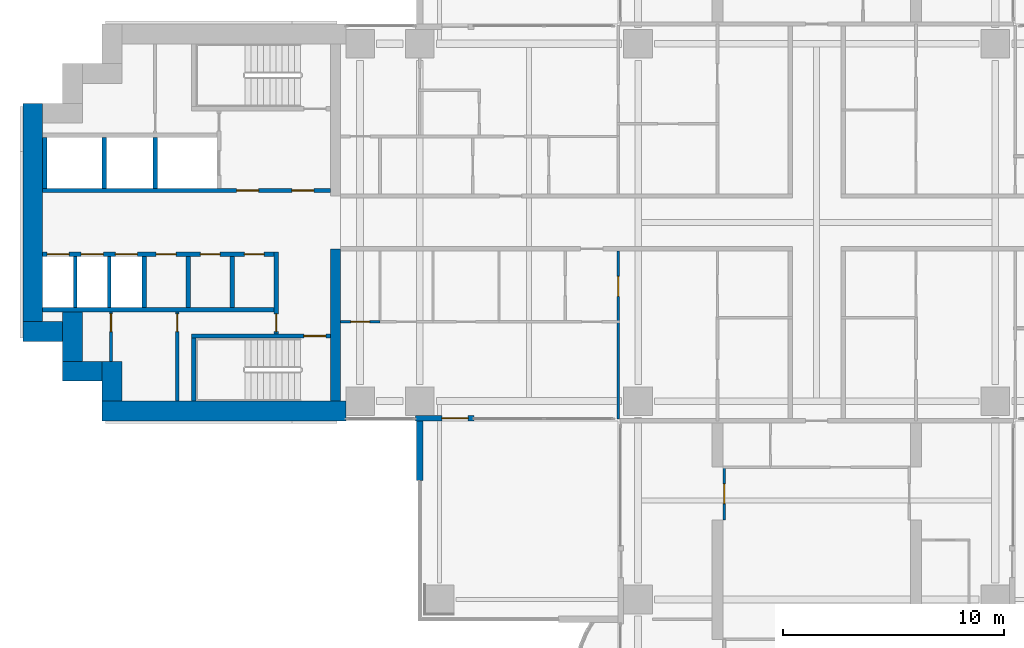
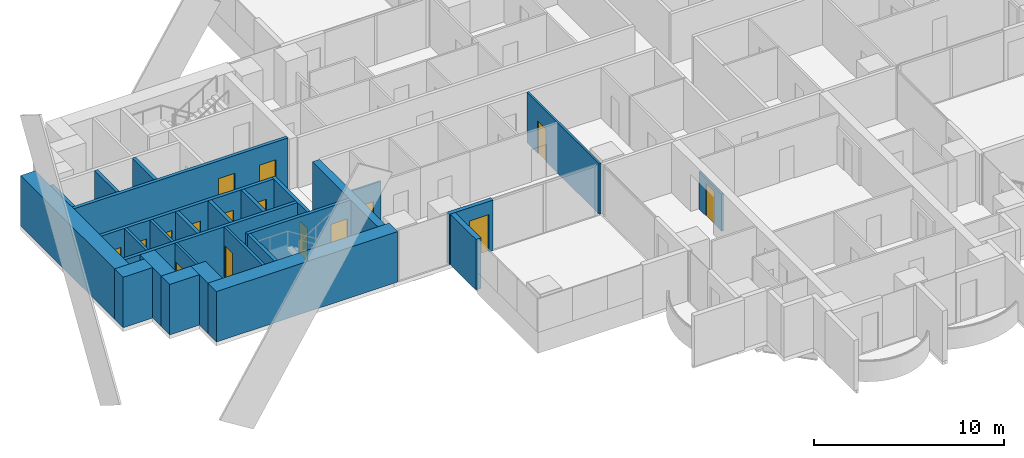
# One storey, part 11 of 23: 28 walls, 16 doors, 16 openings.
"""IFC4 building model written with IfcOpenShell, lengths in metres."""

from ifc_helpers import new_model, si_unit, direction, frame, frame_2d, origin, place, context, subcontext, project, spatial, rectangle, extrude, material, layer, layer_set, type_object, element, fill, save


model = new_model("IFC4")

# Units and contexts
model_context = context("Model", 3, precision=1e-05, world=origin(), true_north=direction((0.0, 1.0)))
body_context = subcontext(model_context, "Body", "Model", "MODEL_VIEW")
ifc_project = project(units=[si_unit("LENGTHUNIT", "METRE"), si_unit("AREAUNIT", "SQUARE_METRE"), si_unit("VOLUMEUNIT", "CUBIC_METRE"), si_unit("PLANEANGLEUNIT", "RADIAN"), si_unit("MASSUNIT", "GRAM", prefix="KILO")], contexts=[model_context])

# Site, building, storey
site_placement = place(None, origin())
site = spatial("IfcSite", under=ifc_project, at=site_placement, CompositionType="ELEMENT")
building_placement = place(site_placement, origin())
building = spatial("IfcBuilding", under=site, at=building_placement, Name="Perihelion Cross Residences", CompositionType="ELEMENT")
storey_placement = place(building_placement, frame((0.0, 0.0, 36.5)))
storey = spatial("IfcBuildingStorey", under=building, at=storey_placement, Name="L05", CompositionType="ELEMENT", Elevation=36.5)

# Wall, opening, door
ifc_material_1 = material(Name="Concrete C30/37, bronze-clad", Category="concrete")
ifc_layer_1 = layer(ifc_material_1, 0.25)
ifc_layer_set_1 = layer_set([ifc_layer_1], Name="Bronze-clad pier wall 250")
wall_type_1 = type_object("IfcWallType", Name="Bronze-clad pier wall 250", PredefinedType="SOLIDWALL", material=ifc_layer_set_1)
wall_1_placement = place(storey_placement, frame((-18.199951171875, -8.875, 0.0), z_axis=(0.0, 0.0, 1.0), x_axis=(1.0, 0.0, 0.0)))
wall_1 = element("IfcWall", 1, at=wall_1_placement, inside=storey, type_object=wall_type_1, Name="Wall FW1 L05 west side south bay 2 pier", PredefinedType="SOLIDWALL", context=body_context, shape_type="SweptSolid", body=[
    extrude(rectangle(XDim=2.64990234375, YDim=0.25, at=frame_2d((1.324951171875, 0.0))), origin(), (0.0, 0.0, 1.0), 3.25),
])
opening_1_placement = place(wall_1_placement, frame((1.199951171875, 0.0, 0.0)))
opening_1 = element("IfcOpeningElement", 2, at=opening_1_placement, cuts=wall_1, Name="Opening L05.E09", PredefinedType="OPENING", context=body_context, shape_type="SweptSolid", body=[
    extrude(rectangle(XDim=1.199951171875, YDim=2.39990234375, at=frame_2d((0.60009765625, 1.199951171875))), frame((0.0, 0.135009765625, 0.0), z_axis=(0.0, -1.0, 0.0), x_axis=(1.0, 0.0, 0.0)), (0.0, 0.0, 1.0), 0.27001953125),
])
ifc_material_2 = material(Name="Bronze anodised aluminium, glazed", Category="aluminium")
door_type_1 = type_object("IfcDoorType", Name="Balcony door 1200 x 2400", OperationType="NOTDEFINED", PredefinedType="DOOR", material=ifc_material_2)
door_1_placement = place(opening_1_placement, origin())
door_1 = element("IfcDoor", 3, at=door_1_placement, inside=storey, type_object=door_type_1, Name="Door L05.E09 west side south bay 2", OperationType="SINGLE_SWING_RIGHT", OverallHeight=2.39990234375, OverallWidth=1.199951171875, PredefinedType="DOOR", context=body_context, shape_type="SweptSolid", body=[
    extrude(rectangle(XDim=1.199951171875, YDim=2.39990234375, at=frame_2d((0.60009765625, 1.199951171875))), frame((0.0, 0.02490234375, 0.0), z_axis=(0.0, -1.0, 0.0), x_axis=(1.0, 0.0, 0.0)), (0.0, 0.0, 1.0), 0.050048828125),
])
fill(opening_1, door_1)

# Walls
ifc_material_3 = material(Name="Concrete C60/75", Category="concrete")
ifc_layer_2 = layer(ifc_material_3, 0.449951171875)
ifc_layer_set_2 = layer_set([ifc_layer_2], Name="Core wall, inner 450")
wall_type_2 = type_object("IfcWallType", Name="Core wall, inner 450", PredefinedType="SHEAR", material=ifc_layer_set_2)
wall_2_placement = place(storey_placement, frame((-21.824951171875, -8.10009765625, 0.0), z_axis=(0.0, 0.0, 1.0), x_axis=(0.0, 1.0, 0.0)))
element("IfcWall", 4, at=wall_2_placement, inside=storey, type_object=wall_type_2, Name="West core core wall, inner", PredefinedType="SHEAR", context=body_context, shape_type="SweptSolid", body=[
    extrude(rectangle(XDim=6.900146484375, YDim=0.449951171875, at=frame_2d((3.4501953125, 0.0))), origin(), (0.0, 0.0, 1.0), 3.25),
])
ifc_material_4 = material(Name="Concrete C60/75", Category="concrete")
ifc_layer_3 = layer(ifc_material_4, 0.89990234375)
ifc_layer_set_3 = layer_set([ifc_layer_3], Name="Core wall, outer 900")
wall_type_3 = type_object("IfcWallType", Name="Core wall, outer 900", PredefinedType="SHEAR", material=ifc_layer_set_3)
wall_3_placement = place(storey_placement, frame((-32.39990234375, -8.550048828125, 0.0), z_axis=(0.0, 0.0, 1.0), x_axis=(1.0, 0.0, 0.0)))
element("IfcWall", 5, at=wall_3_placement, inside=storey, type_object=wall_type_3, Name="West core core wall, outer", PredefinedType="SHEAR", context=body_context, shape_type="SweptSolid", body=[
    extrude(rectangle(XDim=11.0498046875, YDim=0.89990234375, at=frame_2d((5.52490234375, 0.0))), origin(), (0.0, 0.0, 1.0), 3.25),
])
for number, where, z_axis, x_axis, name in (
    (6, (-31.949951171875, -8.10009765625, 0.0), (0.0, 0.0, 1.0), (0.0, 1.0, 0.0), "West core core wall, outer"),
    (7, (-34.199951171875, -6.75, 0.0), (0.0, 0.0, 1.0), (1.0, 0.0, 0.0), "West core core wall, outer"),
):
    element("IfcWall", number, at=place(storey_placement, frame(where, z_axis=z_axis, x_axis=x_axis)), inside=storey, type_object=wall_type_3, Name=name, PredefinedType="SHEAR", context=body_context, shape_type="SweptSolid", body=[
        extrude(rectangle(XDim=1.800048828125, YDim=0.89990234375, at=frame_2d((0.89990234375, 0.0))), origin(), (0.0, 0.0, 1.0), 3.25),
    ])
wall_4_placement = place(storey_placement, frame((-33.75, -6.300048828125, 0.0), z_axis=(0.0, 0.0, 1.0), x_axis=(0.0, 1.0, 0.0)))
element("IfcWall", 8, at=wall_4_placement, inside=storey, type_object=wall_type_3, Name="West core core wall, outer", PredefinedType="SHEAR", context=body_context, shape_type="SweptSolid", body=[
    extrude(rectangle(XDim=2.25, YDim=0.89990234375, at=frame_2d((1.125, 0.0))), origin(), (0.0, 0.0, 1.0), 3.25),
])
wall_5_placement = place(storey_placement, frame((-36.0, -4.949951171875, 0.0), z_axis=(0.0, 0.0, 1.0), x_axis=(1.0, 0.0, 0.0)))
element("IfcWall", 9, at=wall_5_placement, inside=storey, type_object=wall_type_3, Name="West core core wall, outer", PredefinedType="SHEAR", context=body_context, shape_type="SweptSolid", body=[
    extrude(rectangle(XDim=1.800048828125, YDim=0.89990234375, at=frame_2d((0.89990234375, 0.0))), origin(), (0.0, 0.0, 1.0), 3.25),
])
wall_6_placement = place(storey_placement, frame((-35.550048828125, -4.5, 0.0), z_axis=(0.0, 0.0, 1.0), x_axis=(0.0, 1.0, 0.0)))
element("IfcWall", 10, at=wall_6_placement, inside=storey, type_object=wall_type_3, Name="West core core wall, outer", PredefinedType="SHEAR", context=body_context, shape_type="SweptSolid", body=[
    extrude(rectangle(XDim=9.89990234375, YDim=0.89990234375, at=frame_2d((4.949951171875, 0.0))), origin(), (0.0, 0.0, 1.0), 3.25),
])

# Wall, opening, door
ifc_material_5 = material(Name="Plasterboard partition")
ifc_layer_4 = layer(ifc_material_5, 0.1201171875)
ifc_layer_set_4 = layer_set([ifc_layer_4], Name="Infill panel 120")
wall_type_4 = type_object("IfcWallType", Name="Infill panel 120", PredefinedType="PARTITIONING", material=ifc_layer_set_4)
wall_7_placement = place(storey_placement, frame((-4.18994140625, -11.10009765625, 0.0), z_axis=(0.0, 0.0, 1.0), x_axis=(0.0, -1.0, 0.0)))
wall_7 = element("IfcWall", 11, at=wall_7_placement, inside=storey, type_object=wall_type_4, Name="Partition L05 WI07", PredefinedType="PARTITIONING", context=body_context, shape_type="SweptSolid", body=[
    extrude(rectangle(XDim=2.39990234375, YDim=0.1201171875, at=frame_2d((1.199951171875, 0.0))), origin(), (0.0, 0.0, 1.0), 2.39990234375),
])
opening_2_placement = place(wall_7_placement, frame((0.75, 0.0, 0.0)))
opening_2 = element("IfcOpeningElement", 12, at=opening_2_placement, cuts=wall_7, Name="Opening L05.A60", PredefinedType="OPENING", context=body_context, shape_type="SweptSolid", body=[
    extrude(rectangle(XDim=0.89990234375, YDim=2.10009765625, at=frame_2d((0.449951171875, 1.050048828125))), frame((0.0, 0.070068359375, 0.0), z_axis=(0.0, -1.0, 0.0), x_axis=(1.0, 0.0, 0.0)), (0.0, 0.0, 1.0), 0.14013671875),
])
ifc_material_6 = material(Name="Timber door leaf", Category="wood")
door_type_2 = type_object("IfcDoorType", Name="Interior room door 900 x 2100", OperationType="SINGLE_SWING_LEFT", PredefinedType="DOOR", material=ifc_material_6)
door_2_placement = place(opening_2_placement, origin())
door_2 = element("IfcDoor", 13, at=door_2_placement, inside=storey, type_object=door_type_2, Name="Door L05.A60", OperationType="SINGLE_SWING_RIGHT", OverallHeight=2.10009765625, OverallWidth=0.89990234375, PredefinedType="DOOR", context=body_context, shape_type="SweptSolid", body=[
    extrude(rectangle(XDim=0.89990234375, YDim=2.10009765625, at=frame_2d((0.449951171875, 1.050048828125))), frame((0.0, 0.02490234375, 0.0), z_axis=(0.0, -1.0, 0.0), x_axis=(1.0, 0.0, 0.0)), (0.0, 0.0, 1.0), 0.050048828125),
])
fill(opening_2, door_2)

ifc_material_7 = material(Name="Concrete C50/60", Category="concrete")
ifc_layer_5 = layer(ifc_material_7, 0.199951171875)
ifc_layer_set_5 = layer_set([ifc_layer_5], Name="Lobby wall 200")
wall_type_5 = type_object("IfcWallType", Name="Lobby wall 200", PredefinedType="SOLIDWALL", material=ifc_layer_set_5)
wall_8_placement = place(storey_placement, frame((-24.5, -5.050048828125, 0.0), z_axis=(0.0, 0.0, 1.0), x_axis=(0.0, 1.0, 0.0)))
wall_8 = element("IfcWall", 14, at=wall_8_placement, inside=storey, type_object=wall_type_5, Name="West core lobby wall", PredefinedType="SOLIDWALL", context=body_context, shape_type="SweptSolid", body=[
    extrude(rectangle(XDim=3.699951171875, YDim=0.199951171875, at=frame_2d((1.85009765625, 0.0))), origin(), (0.0, 0.0, 1.0), 3.25),
])
opening_3_placement = place(wall_8_placement, frame((0.10009765625, 0.0, 0.0)))
opening_3 = element("IfcOpeningElement", 15, at=opening_3_placement, cuts=wall_8, Name="Opening L05.C24", PredefinedType="OPENING", context=body_context, shape_type="SweptSolid", body=[
    extrude(rectangle(XDim=0.800048828125, YDim=2.10009765625, at=frame_2d((0.39990234375, 1.050048828125))), frame((0.0, 0.10986328125, 0.0), z_axis=(0.0, -1.0, 0.0), x_axis=(1.0, 0.0, 0.0)), (0.0, 0.0, 1.0), 0.219970703125),
])
ifc_material_8 = material(Name="Steel, powder coated", Category="steel")
door_type_3 = type_object("IfcDoorType", Name="Riser door 800", OperationType="SINGLE_SWING_LEFT", PredefinedType="DOOR", material=ifc_material_8)
door_3_placement = place(opening_3_placement, origin())
door_3 = element("IfcDoor", 16, at=door_3_placement, inside=storey, type_object=door_type_3, Name="West core riser door", OperationType="SINGLE_SWING_LEFT", OverallHeight=2.10009765625, OverallWidth=0.800048828125, PredefinedType="DOOR", context=body_context, shape_type="SweptSolid", body=[
    extrude(rectangle(XDim=0.800048828125, YDim=2.10009765625, at=frame_2d((0.39990234375, 1.050048828125))), frame((0.0, 0.02490234375, 0.0), z_axis=(0.0, -1.0, 0.0), x_axis=(1.0, 0.0, 0.0)), (0.0, 0.0, 1.0), 0.050048828125),
])
fill(opening_3, door_3)

ifc_material_9 = material(Name="Plasterboard partition")
ifc_layer_6 = layer(ifc_material_9, 0.1201171875)
ifc_layer_set_6 = layer_set([ifc_layer_6], Name="Partition wall 120")
wall_type_6 = type_object("IfcWallType", Name="Partition wall 120", PredefinedType="PARTITIONING", material=ifc_layer_set_6)
wall_9_placement = place(storey_placement, frame((-9.0, -1.300048828125, 0.0), z_axis=(0.0, 0.0, 1.0), x_axis=(0.0, -1.0, 0.0)))
wall_9 = element("IfcWall", 17, at=wall_9_placement, inside=storey, type_object=wall_type_6, Name="Partition L05 W047", PredefinedType="PARTITIONING", context=body_context, shape_type="SweptSolid", body=[
    extrude(rectangle(XDim=7.619873046875, YDim=0.1201171875, at=frame_2d((3.81005859375, 0.0))), origin(), (0.0, 0.0, 1.0), 3.25),
])
opening_4_placement = place(wall_9_placement, frame((1.14990234375, 0.0, 0.0)))
opening_4 = element("IfcOpeningElement", 18, at=opening_4_placement, cuts=wall_9, Name="Opening L05.A28", PredefinedType="OPENING", context=body_context, shape_type="SweptSolid", body=[
    extrude(rectangle(XDim=0.89990234375, YDim=2.10009765625, at=frame_2d((0.449951171875, 1.050048828125))), frame((0.0, 0.070068359375, 0.0), z_axis=(0.0, -1.0, 0.0), x_axis=(1.0, 0.0, 0.0)), (0.0, 0.0, 1.0), 0.14013671875),
])
door_4_placement = place(opening_4_placement, origin())
door_4 = element("IfcDoor", 19, at=door_4_placement, inside=storey, type_object=door_type_2, Name="Door L05.A28", OperationType="SINGLE_SWING_RIGHT", OverallHeight=2.10009765625, OverallWidth=0.89990234375, PredefinedType="DOOR", context=body_context, shape_type="SweptSolid", body=[
    extrude(rectangle(XDim=0.89990234375, YDim=2.10009765625, at=frame_2d((0.449951171875, 1.050048828125))), frame((0.0, 0.02490234375, 0.0), z_axis=(0.0, -1.0, 0.0), x_axis=(1.0, 0.0, 0.0)), (0.0, 0.0, 1.0), 0.050048828125),
])
fill(opening_4, door_4)

# Wall
ifc_material_10 = material(Name="Precast concrete C50/60", Category="concrete")
ifc_layer_7 = layer(ifc_material_10, 0.300048828125)
ifc_layer_set_7 = layer_set([ifc_layer_7], Name="Precast concrete C50/60 blade wall 300")
wall_type_7 = type_object("IfcWallType", Name="Precast concrete C50/60 blade wall 300", PredefinedType="SOLIDWALL", material=ifc_layer_set_7)
wall_10_placement = place(storey_placement, frame((-18.0, -8.75, 0.0), z_axis=(0.0, 0.0, 1.0), x_axis=(0.0, -1.0, 0.0)))
element("IfcWall", 20, at=wall_10_placement, inside=storey, type_object=wall_type_7, Name="Wall BL1 L05 no. 1", PredefinedType="SOLIDWALL", context=body_context, shape_type="SweptSolid", body=[
    extrude(rectangle(XDim=2.949951171875, YDim=0.300048828125, at=frame_2d((1.47509765625, 0.0))), origin(), (0.0, 0.0, 1.0), 3.25),
])

# Wall, opening, door
ifc_material_11 = material(Name="Fire-rated board on steel stud", Category="steel")
ifc_layer_8 = layer(ifc_material_11, 0.14990234375)
ifc_layer_set_8 = layer_set([ifc_layer_8], Name="Riser wall 150")
wall_type_8 = type_object("IfcWallType", Name="Riser wall 150", PredefinedType="PARTITIONING", material=ifc_layer_set_8)
wall_11_placement = place(storey_placement, frame((-29.0, -8.10009765625, 0.0), z_axis=(0.0, 0.0, 1.0), x_axis=(0.0, 1.0, 0.0)))
wall_11 = element("IfcWall", 21, at=wall_11_placement, inside=storey, type_object=wall_type_8, Name="West core riser wall", PredefinedType="PARTITIONING", context=body_context, shape_type="SweptSolid", body=[
    extrude(rectangle(XDim=4.050048828125, YDim=0.14990234375, at=frame_2d((2.02490234375, 0.0))), origin(), (0.0, 0.0, 1.0), 3.25),
])
opening_5_placement = place(wall_11_placement, frame((3.14990234375, 0.0, 0.0)))
opening_5 = element("IfcOpeningElement", 22, at=opening_5_placement, cuts=wall_11, Name="Opening L05.C29", PredefinedType="OPENING", context=body_context, shape_type="SweptSolid", body=[
    extrude(rectangle(XDim=0.800048828125, YDim=2.10009765625, at=frame_2d((0.39990234375, 1.050048828125))), frame((0.0, 0.0849609375, 0.0), z_axis=(0.0, -1.0, 0.0), x_axis=(1.0, 0.0, 0.0)), (0.0, 0.0, 1.0), 0.169921875),
])
door_5_placement = place(opening_5_placement, origin())
door_5 = element("IfcDoor", 23, at=door_5_placement, inside=storey, type_object=door_type_3, Name="West core riser door", OperationType="SINGLE_SWING_LEFT", OverallHeight=2.10009765625, OverallWidth=0.800048828125, PredefinedType="DOOR", context=body_context, shape_type="SweptSolid", body=[
    extrude(rectangle(XDim=0.800048828125, YDim=2.10009765625, at=frame_2d((0.39990234375, 1.050048828125))), frame((0.0, 0.02490234375, 0.0), z_axis=(0.0, -1.0, 0.0), x_axis=(1.0, 0.0, 0.0)), (0.0, 0.0, 1.0), 0.050048828125),
])
fill(opening_5, door_5)

wall_12_placement = place(storey_placement, frame((-32.0, -6.300048828125, 0.0), z_axis=(0.0, 0.0, 1.0), x_axis=(0.0, 1.0, 0.0)))
wall_12 = element("IfcWall", 24, at=wall_12_placement, inside=storey, type_object=wall_type_8, Name="West core riser wall", PredefinedType="PARTITIONING", context=body_context, shape_type="SweptSolid", body=[
    extrude(rectangle(XDim=2.25, YDim=0.14990234375, at=frame_2d((1.125, 0.0))), origin(), (0.0, 0.0, 1.0), 3.25),
])
opening_6_placement = place(wall_12_placement, frame((1.35009765625, 0.0, 0.0)))
opening_6 = element("IfcOpeningElement", 25, at=opening_6_placement, cuts=wall_12, Name="Opening L05.C32", PredefinedType="OPENING", context=body_context, shape_type="SweptSolid", body=[
    extrude(rectangle(XDim=0.800048828125, YDim=2.10009765625, at=frame_2d((0.39990234375, 1.050048828125))), frame((0.0, 0.0849609375, 0.0), z_axis=(0.0, -1.0, 0.0), x_axis=(1.0, 0.0, 0.0)), (0.0, 0.0, 1.0), 0.169921875),
])
door_6_placement = place(opening_6_placement, origin())
door_6 = element("IfcDoor", 26, at=door_6_placement, inside=storey, type_object=door_type_3, Name="West core riser door", OperationType="SINGLE_SWING_LEFT", OverallHeight=2.10009765625, OverallWidth=0.800048828125, PredefinedType="DOOR", context=body_context, shape_type="SweptSolid", body=[
    extrude(rectangle(XDim=0.800048828125, YDim=2.10009765625, at=frame_2d((0.39990234375, 1.050048828125))), frame((0.0, 0.02490234375, 0.0), z_axis=(0.0, -1.0, 0.0), x_axis=(1.0, 0.0, 0.0)), (0.0, 0.0, 1.0), 0.050048828125),
])
fill(opening_6, door_6)

# Walls
ifc_material_12 = material(Name="Fire-rated board on steel stud", Category="steel")
ifc_layer_9 = layer(ifc_material_12, 0.199951171875)
ifc_layer_set_9 = layer_set([ifc_layer_9], Name="Riser wall 200")
wall_type_9 = type_object("IfcWallType", Name="Riser wall 200", PredefinedType="PARTITIONING", material=ifc_layer_set_9)
for number, where, z_axis, x_axis, name in (
    (27, (-26.5, -3.85009765625, 0.0), (0.0, 0.0, 1.0), (0.0, 1.0, 0.0), "West core riser wall"),
    (28, (-28.5, -3.85009765625, 0.0), (0.0, 0.0, 1.0), (0.0, 1.0, 0.0), "West core riser wall"),
):
    element("IfcWall", number, at=place(storey_placement, frame(where, z_axis=z_axis, x_axis=x_axis)), inside=storey, type_object=wall_type_9, Name=name, PredefinedType="PARTITIONING", context=body_context, shape_type="SweptSolid", body=[
        extrude(rectangle(XDim=2.300048828125, YDim=0.199951171875, at=frame_2d((1.14990234375, 0.0))), origin(), (0.0, 0.0, 1.0), 3.25),
    ])
ifc_material_13 = material(Name="Concrete C50/60", Category="concrete")
ifc_layer_10 = layer(ifc_material_13, 0.14990234375)
ifc_layer_set_10 = layer_set([ifc_layer_10], Name="Shaft wall 150")
wall_type_10 = type_object("IfcWallType", Name="Shaft wall 150", PredefinedType="SOLIDWALL", material=ifc_layer_set_10)
for number, where, z_axis, x_axis, name in (
    (29, (-32.074951171875, -3.85009765625, 0.0), (0.0, 0.0, 1.0), (0.0, 1.0, 0.0), "West core shaft wall"),
    (30, (-33.625, -3.85009765625, 0.0), (0.0, 0.0, 1.0), (0.0, 1.0, 0.0), "West core shaft wall"),
):
    element("IfcWall", number, at=place(storey_placement, frame(where, z_axis=z_axis, x_axis=x_axis)), inside=storey, type_object=wall_type_10, Name=name, PredefinedType="SOLIDWALL", context=body_context, shape_type="SweptSolid", body=[
        extrude(rectangle(XDim=2.300048828125, YDim=0.14990234375, at=frame_2d((1.14990234375, 0.0))), origin(), (0.0, 0.0, 1.0), 3.25),
    ])

# Wall, openings, doors
ifc_material_14 = material(Name="Concrete C50/60", Category="concrete")
ifc_layer_11 = layer(ifc_material_14, 0.199951171875)
ifc_layer_set_11 = layer_set([ifc_layer_11], Name="Shaft wall 200")
wall_type_11 = type_object("IfcWallType", Name="Shaft wall 200", PredefinedType="SOLIDWALL", material=ifc_layer_set_11)
wall_13_placement = place(storey_placement, frame((-35.10009765625, 1.449951171875, 0.0), z_axis=(0.0, 0.0, 1.0), x_axis=(1.0, 0.0, 0.0)))
wall_13 = element("IfcWall", 31, at=wall_13_placement, inside=storey, type_object=wall_type_11, Name="West core shaft wall", PredefinedType="SOLIDWALL", context=body_context, shape_type="SweptSolid", body=[
    extrude(rectangle(XDim=13.050048828125, YDim=0.199951171875, at=frame_2d((6.52490234375, 0.0))), origin(), (0.0, 0.0, 1.0), 3.25),
])
opening_7_placement = place(wall_13_placement, frame((11.300048828125, 0.0, 0.0)))
opening_7 = element("IfcOpeningElement", 32, at=opening_7_placement, cuts=wall_13, Name="Opening L05.C23", PredefinedType="OPENING", context=body_context, shape_type="SweptSolid", body=[
    extrude(rectangle(XDim=1.0, YDim=2.10009765625, at=frame_2d((0.5, 1.050048828125))), frame((0.0, 0.10986328125, 0.0), z_axis=(0.0, -1.0, 0.0), x_axis=(1.0, 0.0, 0.0)), (0.0, 0.0, 1.0), 0.219970703125),
])
opening_8_placement = place(wall_13_placement, frame((8.800048828125, 0.0, 0.0)))
opening_8 = element("IfcOpeningElement", 33, at=opening_8_placement, cuts=wall_13, Name="Opening L05.C26", PredefinedType="OPENING", context=body_context, shape_type="SweptSolid", body=[
    extrude(rectangle(XDim=1.0, YDim=2.10009765625, at=frame_2d((0.5, 1.050048828125))), frame((0.0, 0.10986328125, 0.0), z_axis=(0.0, -1.0, 0.0), x_axis=(1.0, 0.0, 0.0)), (0.0, 0.0, 1.0), 0.219970703125),
])
ifc_material_15 = material(Name="Steel, powder coated", Category="steel")
door_type_4 = type_object("IfcDoorType", Name="Lobby door 1000", OperationType="SINGLE_SWING_LEFT", PredefinedType="DOOR", material=ifc_material_15)
door_7_placement = place(opening_7_placement, origin())
door_7 = element("IfcDoor", 34, at=door_7_placement, inside=storey, type_object=door_type_4, Name="West core firefighting lobby door", OperationType="SINGLE_SWING_LEFT", OverallHeight=2.10009765625, OverallWidth=1.0, PredefinedType="DOOR", context=body_context, shape_type="SweptSolid", body=[
    extrude(rectangle(XDim=1.0, YDim=2.10009765625, at=frame_2d((0.5, 1.050048828125))), frame((0.0, 0.02490234375, 0.0), z_axis=(0.0, -1.0, 0.0), x_axis=(1.0, 0.0, 0.0)), (0.0, 0.0, 1.0), 0.050048828125),
])
fill(opening_7, door_7)
door_8_placement = place(opening_8_placement, origin())
door_8 = element("IfcDoor", 35, at=door_8_placement, inside=storey, type_object=door_type_4, Name="West core firefighting lobby door", OperationType="SINGLE_SWING_LEFT", OverallHeight=2.10009765625, OverallWidth=1.0, PredefinedType="DOOR", context=body_context, shape_type="SweptSolid", body=[
    extrude(rectangle(XDim=1.0, YDim=2.10009765625, at=frame_2d((0.5, 1.050048828125))), frame((0.0, 0.02490234375, 0.0), z_axis=(0.0, -1.0, 0.0), x_axis=(1.0, 0.0, 0.0)), (0.0, 0.0, 1.0), 0.050048828125),
])
fill(opening_8, door_8)

wall_14_placement = place(storey_placement, frame((-35.10009765625, -1.449951171875, 0.0), z_axis=(0.0, 0.0, 1.0), x_axis=(1.0, 0.0, 0.0)))
wall_14 = element("IfcWall", 36, at=wall_14_placement, inside=storey, type_object=wall_type_11, Name="West core shaft wall", PredefinedType="SOLIDWALL", context=body_context, shape_type="SweptSolid", body=[
    extrude(rectangle(XDim=10.5, YDim=0.199951171875, at=frame_2d((5.25, 0.0))), origin(), (0.0, 0.0, 1.0), 3.25),
])
opening_9_placement = place(wall_14_placement, frame((3.300048828125, 0.0, 0.0)))
opening_9 = element("IfcOpeningElement", 37, at=opening_9_placement, cuts=wall_14, Name="Opening L05.C18", PredefinedType="OPENING", context=body_context, shape_type="SweptSolid", body=[
    extrude(rectangle(XDim=1.0, YDim=2.10009765625, at=frame_2d((0.5, 1.050048828125))), frame((0.0, 0.10986328125, 0.0), z_axis=(0.0, -1.0, 0.0), x_axis=(1.0, 0.0, 0.0)), (0.0, 0.0, 1.0), 0.219970703125),
])
opening_10_placement = place(wall_14_placement, frame((1.75, 0.0, 0.0)))
opening_10 = element("IfcOpeningElement", 38, at=opening_10_placement, cuts=wall_14, Name="Opening L05.C19", PredefinedType="OPENING", context=body_context, shape_type="SweptSolid", body=[
    extrude(rectangle(XDim=1.0, YDim=2.10009765625, at=frame_2d((0.5, 1.050048828125))), frame((0.0, 0.10986328125, 0.0), z_axis=(0.0, -1.0, 0.0), x_axis=(1.0, 0.0, 0.0)), (0.0, 0.0, 1.0), 0.219970703125),
])
opening_11_placement = place(wall_14_placement, frame((0.199951171875, 0.0, 0.0)))
opening_11 = element("IfcOpeningElement", 39, at=opening_11_placement, cuts=wall_14, Name="Opening L05.C20", PredefinedType="OPENING", context=body_context, shape_type="SweptSolid", body=[
    extrude(rectangle(XDim=1.0, YDim=2.10009765625, at=frame_2d((0.5, 1.050048828125))), frame((0.0, 0.10986328125, 0.0), z_axis=(0.0, -1.0, 0.0), x_axis=(1.0, 0.0, 0.0)), (0.0, 0.0, 1.0), 0.219970703125),
])
opening_12_placement = place(wall_14_placement, frame((9.14990234375, 0.0, 0.0)))
opening_12 = element("IfcOpeningElement", 40, at=opening_12_placement, cuts=wall_14, Name="Opening L05.C25", PredefinedType="OPENING", context=body_context, shape_type="SweptSolid", body=[
    extrude(rectangle(XDim=0.89990234375, YDim=2.10009765625, at=frame_2d((0.449951171875, 1.050048828125))), frame((0.0, 0.10986328125, 0.0), z_axis=(0.0, -1.0, 0.0), x_axis=(1.0, 0.0, 0.0)), (0.0, 0.0, 1.0), 0.219970703125),
])
opening_13_placement = place(wall_14_placement, frame((7.14990234375, 0.0, 0.0)))
opening_13 = element("IfcOpeningElement", 41, at=opening_13_placement, cuts=wall_14, Name="Opening L05.C28", PredefinedType="OPENING", context=body_context, shape_type="SweptSolid", body=[
    extrude(rectangle(XDim=0.89990234375, YDim=2.10009765625, at=frame_2d((0.449951171875, 1.050048828125))), frame((0.0, 0.10986328125, 0.0), z_axis=(0.0, -1.0, 0.0), x_axis=(1.0, 0.0, 0.0)), (0.0, 0.0, 1.0), 0.219970703125),
])
opening_14_placement = place(wall_14_placement, frame((5.14990234375, 0.0, 0.0)))
opening_14 = element("IfcOpeningElement", 42, at=opening_14_placement, cuts=wall_14, Name="Opening L05.C30", PredefinedType="OPENING", context=body_context, shape_type="SweptSolid", body=[
    extrude(rectangle(XDim=0.89990234375, YDim=2.10009765625, at=frame_2d((0.449951171875, 1.050048828125))), frame((0.0, 0.10986328125, 0.0), z_axis=(0.0, -1.0, 0.0), x_axis=(1.0, 0.0, 0.0)), (0.0, 0.0, 1.0), 0.219970703125),
])
ifc_material_16 = material(Name="Stainless steel", Category="steel")
door_type_5 = type_object("IfcDoorType", Name="Landing door 1000", OperationType="DOUBLE_DOOR_SLIDING", PredefinedType="DOOR", material=ifc_material_16)
door_9_placement = place(opening_9_placement, origin())
door_9 = element("IfcDoor", 43, at=door_9_placement, inside=storey, type_object=door_type_5, Name="Landing door, West core low-rise lift 1", OperationType="DOUBLE_DOOR_SLIDING", OverallHeight=2.10009765625, OverallWidth=1.0, PredefinedType="DOOR", context=body_context, shape_type="SweptSolid", body=[
    extrude(rectangle(XDim=1.0, YDim=2.10009765625, at=frame_2d((0.5, 1.050048828125))), frame((0.0, 0.02490234375, 0.0), z_axis=(0.0, -1.0, 0.0), x_axis=(1.0, 0.0, 0.0)), (0.0, 0.0, 1.0), 0.050048828125),
])
fill(opening_9, door_9)
door_10_placement = place(opening_10_placement, origin())
door_10 = element("IfcDoor", 44, at=door_10_placement, inside=storey, type_object=door_type_5, Name="Landing door, West core low-rise lift 2", OperationType="DOUBLE_DOOR_SLIDING", OverallHeight=2.10009765625, OverallWidth=1.0, PredefinedType="DOOR", context=body_context, shape_type="SweptSolid", body=[
    extrude(rectangle(XDim=1.0, YDim=2.10009765625, at=frame_2d((0.5, 1.050048828125))), frame((0.0, 0.02490234375, 0.0), z_axis=(0.0, -1.0, 0.0), x_axis=(1.0, 0.0, 0.0)), (0.0, 0.0, 1.0), 0.050048828125),
])
fill(opening_10, door_10)
door_11_placement = place(opening_11_placement, origin())
door_11 = element("IfcDoor", 45, at=door_11_placement, inside=storey, type_object=door_type_5, Name="Landing door, West core low-rise lift 3", OperationType="DOUBLE_DOOR_SLIDING", OverallHeight=2.10009765625, OverallWidth=1.0, PredefinedType="DOOR", context=body_context, shape_type="SweptSolid", body=[
    extrude(rectangle(XDim=1.0, YDim=2.10009765625, at=frame_2d((0.5, 1.050048828125))), frame((0.0, 0.02490234375, 0.0), z_axis=(0.0, -1.0, 0.0), x_axis=(1.0, 0.0, 0.0)), (0.0, 0.0, 1.0), 0.050048828125),
])
fill(opening_11, door_11)
ifc_material_17 = material(Name="Steel, powder coated", Category="steel")
door_type_6 = type_object("IfcDoorType", Name="Service room door 900", OperationType="SINGLE_SWING_LEFT", PredefinedType="DOOR", material=ifc_material_17)
door_12_placement = place(opening_12_placement, origin())
door_12 = element("IfcDoor", 46, at=door_12_placement, inside=storey, type_object=door_type_6, Name="West core service room door", OperationType="SINGLE_SWING_LEFT", OverallHeight=2.10009765625, OverallWidth=0.89990234375, PredefinedType="DOOR", context=body_context, shape_type="SweptSolid", body=[
    extrude(rectangle(XDim=0.89990234375, YDim=2.10009765625, at=frame_2d((0.449951171875, 1.050048828125))), frame((0.0, 0.02490234375, 0.0), z_axis=(0.0, -1.0, 0.0), x_axis=(1.0, 0.0, 0.0)), (0.0, 0.0, 1.0), 0.050048828125),
])
fill(opening_12, door_12)
door_13_placement = place(opening_13_placement, origin())
door_13 = element("IfcDoor", 47, at=door_13_placement, inside=storey, type_object=door_type_6, Name="West core service room door", OperationType="SINGLE_SWING_LEFT", OverallHeight=2.10009765625, OverallWidth=0.89990234375, PredefinedType="DOOR", context=body_context, shape_type="SweptSolid", body=[
    extrude(rectangle(XDim=0.89990234375, YDim=2.10009765625, at=frame_2d((0.449951171875, 1.050048828125))), frame((0.0, 0.02490234375, 0.0), z_axis=(0.0, -1.0, 0.0), x_axis=(1.0, 0.0, 0.0)), (0.0, 0.0, 1.0), 0.050048828125),
])
fill(opening_13, door_13)
door_14_placement = place(opening_14_placement, origin())
door_14 = element("IfcDoor", 48, at=door_14_placement, inside=storey, type_object=door_type_6, Name="West core service room door", OperationType="SINGLE_SWING_LEFT", OverallHeight=2.10009765625, OverallWidth=0.89990234375, PredefinedType="DOOR", context=body_context, shape_type="SweptSolid", body=[
    extrude(rectangle(XDim=0.89990234375, YDim=2.10009765625, at=frame_2d((0.449951171875, 1.050048828125))), frame((0.0, 0.02490234375, 0.0), z_axis=(0.0, -1.0, 0.0), x_axis=(1.0, 0.0, 0.0)), (0.0, 0.0, 1.0), 0.050048828125),
])
fill(opening_14, door_14)

# Walls
wall_15_placement = place(storey_placement, frame((-35.10009765625, -3.949951171875, 0.0), z_axis=(0.0, 0.0, 1.0), x_axis=(1.0, 0.0, 0.0)))
element("IfcWall", 49, at=wall_15_placement, inside=storey, type_object=wall_type_11, Name="West core shaft wall", PredefinedType="SOLIDWALL", context=body_context, shape_type="SweptSolid", body=[
    extrude(rectangle(XDim=10.5, YDim=0.199951171875, at=frame_2d((5.25, 0.0))), origin(), (0.0, 0.0, 1.0), 3.25),
])
for number, where, z_axis, x_axis, name in (
    (50, (-30.0, 1.550048828125, 0.0), (0.0, 0.0, 1.0), (0.0, 1.0, 0.0), "West core shaft wall"),
    (51, (-32.300048828125, 1.550048828125, 0.0), (0.0, 0.0, 1.0), (0.0, 1.0, 0.0), "West core shaft wall"),
    (52, (-35.0, 1.550048828125, 0.0), (0.0, 0.0, 1.0), (0.0, 1.0, 0.0), "West core shaft wall"),
    (53, (-30.5, -3.85009765625, 0.0), (0.0, 0.0, 1.0), (0.0, 1.0, 0.0), "West core shaft wall"),
):
    element("IfcWall", number, at=place(storey_placement, frame(where, z_axis=z_axis, x_axis=x_axis)), inside=storey, type_object=wall_type_11, Name=name, PredefinedType="SOLIDWALL", context=body_context, shape_type="SweptSolid", body=[
        extrude(rectangle(XDim=2.300048828125, YDim=0.199951171875, at=frame_2d((1.14990234375, 0.0))), origin(), (0.0, 0.0, 1.0), 3.25),
    ])

# Wall, opening, door
ifc_material_18 = material(Name="Concrete C50/60", Category="concrete")
ifc_layer_12 = layer(ifc_material_18, 0.199951171875)
ifc_layer_set_12 = layer_set([ifc_layer_12], Name="Stair wall 200")
wall_type_12 = type_object("IfcWallType", Name="Stair wall 200", PredefinedType="SOLIDWALL", material=ifc_layer_set_12)
wall_16_placement = place(storey_placement, frame((-28.35009765625, -5.14990234375, 0.0), z_axis=(0.0, 0.0, 1.0), x_axis=(1.0, 0.0, 0.0)))
wall_16 = element("IfcWall", 54, at=wall_16_placement, inside=storey, type_object=wall_type_12, Name="West core stair wall", PredefinedType="SOLIDWALL", context=body_context, shape_type="SweptSolid", body=[
    extrude(rectangle(XDim=6.300048828125, YDim=0.199951171875, at=frame_2d((3.14990234375, 0.0))), origin(), (0.0, 0.0, 1.0), 3.25),
])
opening_15_placement = place(wall_16_placement, frame((5.10009765625, 0.0, 0.0)))
opening_15 = element("IfcOpeningElement", 55, at=opening_15_placement, cuts=wall_16, Name="Opening L05.C21", PredefinedType="OPENING", context=body_context, shape_type="SweptSolid", body=[
    extrude(rectangle(XDim=1.0, YDim=2.10009765625, at=frame_2d((0.5, 1.050048828125))), frame((0.0, 0.10986328125, 0.0), z_axis=(0.0, -1.0, 0.0), x_axis=(1.0, 0.0, 0.0)), (0.0, 0.0, 1.0), 0.219970703125),
])
ifc_material_19 = material(Name="Steel, powder coated", Category="steel")
door_type_7 = type_object("IfcDoorType", Name="Stair door 1000", OperationType="SINGLE_SWING_LEFT", PredefinedType="DOOR", material=ifc_material_19)
door_15_placement = place(opening_15_placement, origin())
door_15 = element("IfcDoor", 56, at=door_15_placement, inside=storey, type_object=door_type_7, Name="West core stair door", OperationType="SINGLE_SWING_LEFT", OverallHeight=2.10009765625, OverallWidth=1.0, PredefinedType="DOOR", context=body_context, shape_type="SweptSolid", body=[
    extrude(rectangle(XDim=1.0, YDim=2.10009765625, at=frame_2d((0.5, 1.050048828125))), frame((0.0, 0.02490234375, 0.0), z_axis=(0.0, -1.0, 0.0), x_axis=(1.0, 0.0, 0.0)), (0.0, 0.0, 1.0), 0.050048828125),
])
fill(opening_15, door_15)

# Wall
wall_17_placement = place(storey_placement, frame((-28.25, -8.10009765625, 0.0), z_axis=(0.0, 0.0, 1.0), x_axis=(0.0, 1.0, 0.0)))
element("IfcWall", 57, at=wall_17_placement, inside=storey, type_object=wall_type_12, Name="West core stair wall", PredefinedType="SOLIDWALL", context=body_context, shape_type="SweptSolid", body=[
    extrude(rectangle(XDim=2.85009765625, YDim=0.199951171875, at=frame_2d((1.425048828125, 0.0))), origin(), (0.0, 0.0, 1.0), 3.25),
])

# Wall, opening, door
ifc_material_20 = material(Name="Plasterboard partition")
ifc_layer_13 = layer(ifc_material_20, 0.10009765625)
ifc_layer_set_13 = layer_set([ifc_layer_13], Name="Wet room wall 100")
wall_type_13 = type_object("IfcWallType", Name="Wet room wall 100", PredefinedType="PARTITIONING", material=ifc_layer_set_13)
wall_18_placement = place(storey_placement, frame((-19.800048828125, -4.5, 0.0), z_axis=(0.0, 0.0, 1.0), x_axis=(-1.0, 0.0, 0.0)))
wall_18 = element("IfcWall", 58, at=wall_18_placement, inside=storey, type_object=wall_type_13, Name="Partition L05 W053", PredefinedType="PARTITIONING", context=body_context, shape_type="SweptSolid", body=[
    extrude(rectangle(XDim=1.800048828125, YDim=0.10009765625, at=frame_2d((0.89990234375, 0.0))), origin(), (0.0, 0.0, 1.0), 3.25),
])
opening_16_placement = place(wall_18_placement, frame((0.47509765625, 0.0, 0.0)))
opening_16 = element("IfcOpeningElement", 59, at=opening_16_placement, cuts=wall_18, Name="Opening L05.A31", PredefinedType="OPENING", context=body_context, shape_type="SweptSolid", body=[
    extrude(rectangle(XDim=0.85009765625, YDim=2.10009765625, at=frame_2d((0.425048828125, 1.050048828125))), frame((0.0, 0.06005859375, 0.0), z_axis=(0.0, -1.0, 0.0), x_axis=(1.0, 0.0, 0.0)), (0.0, 0.0, 1.0), 0.1201171875),
])
ifc_material_21 = material(Name="Timber door leaf", Category="wood")
door_type_8 = type_object("IfcDoorType", Name="Interior bathroom door 850 x 2100", OperationType="SINGLE_SWING_LEFT", PredefinedType="DOOR", material=ifc_material_21)
door_16_placement = place(opening_16_placement, origin())
door_16 = element("IfcDoor", 60, at=door_16_placement, inside=storey, type_object=door_type_8, Name="Door L05.A31", OperationType="SINGLE_SWING_LEFT", OverallHeight=2.10009765625, OverallWidth=0.85009765625, PredefinedType="DOOR", context=body_context, shape_type="SweptSolid", body=[
    extrude(rectangle(XDim=0.85009765625, YDim=2.10009765625, at=frame_2d((0.425048828125, 1.050048828125))), frame((0.0, 0.02490234375, 0.0), z_axis=(0.0, -1.0, 0.0), x_axis=(1.0, 0.0, 0.0)), (0.0, 0.0, 1.0), 0.050048828125),
])
fill(opening_16, door_16)

save(model, "model.ifc")
